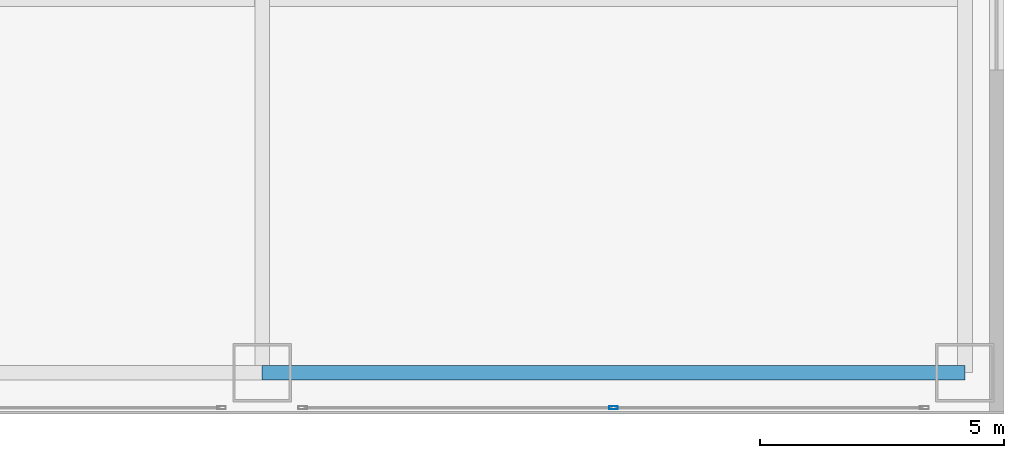
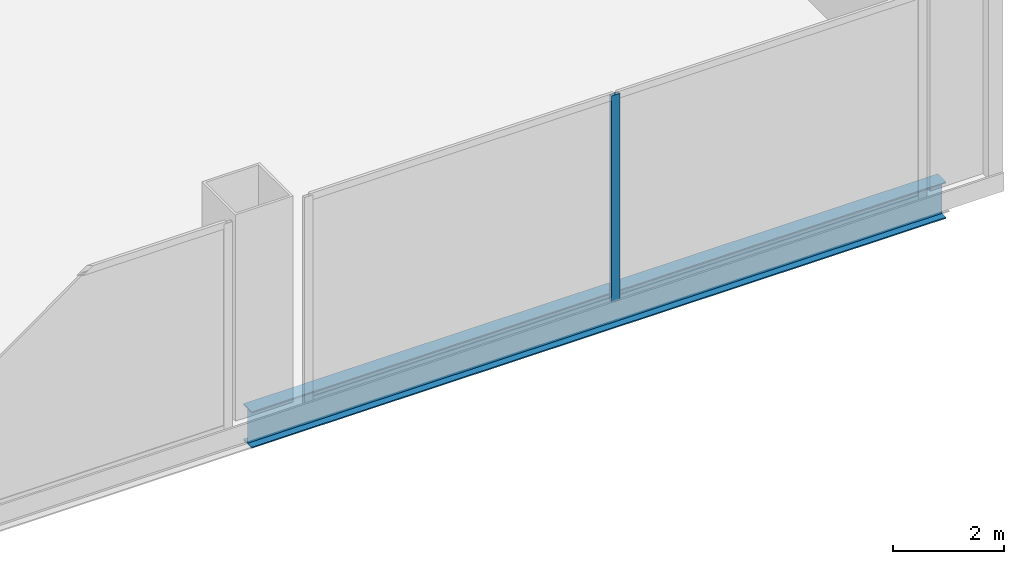
# One storey, part 14 of 27: 1 beam, 1 member, 1 element without a shape of its own.
"""IFC4 building model written with IfcOpenShell, lengths in metres."""

from ifc_helpers import new_model, si_unit, direction, frame, origin, origin_2d, place, context, subcontext, project, spatial, hollow_rectangle, i_section, extrude, source, transform, mapped, material, layer, layer_set, material_profile, profile_set, type_object, element, aggregate, save


model = new_model("IFC4")

# Units and contexts
model_context = context("Model", 3, precision=1e-05, world=origin(), true_north=direction((0.0, 1.0)))
body_context = subcontext(model_context, "Body", "Model", "MODEL_VIEW")
ifc_project = project(units=[si_unit("LENGTHUNIT", "METRE"), si_unit("AREAUNIT", "SQUARE_METRE"), si_unit("VOLUMEUNIT", "CUBIC_METRE"), si_unit("PLANEANGLEUNIT", "RADIAN"), si_unit("MASSUNIT", "GRAM", prefix="KILO"), si_unit("THERMODYNAMICTEMPERATUREUNIT", "KELVIN"), si_unit("POWERUNIT", "WATT")], contexts=[model_context])

# Site, building, storey
site_placement = place(None, origin())
site = spatial("IfcSite", under=ifc_project, at=site_placement, CompositionType="ELEMENT")
building_placement = place(site_placement, origin())
building = spatial("IfcBuilding", under=site, at=building_placement, Name="Yunzhuo Pagoda Commons", CompositionType="ELEMENT")
storey_placement = place(building_placement, frame((0.0, 0.0, 9.60009765625)))
storey = spatial("IfcBuildingStorey", under=building, at=storey_placement, Name="L03", CompositionType="ELEMENT", Elevation=9.60009765625)

# Beam
ifc_material_1 = material(Name="Structural steel Q355B", Category="steel")
ifc_material_profile_1 = material_profile(ifc_material_1, i_section(OverallWidth=0.300048828125, OverallDepth=0.800048828125, WebThickness=0.013916015625, FlangeThickness=0.02587890625, at=origin_2d()), Name="Structural steel Q355B")
ifc_profile_set_1 = profile_set([ifc_material_profile_1], Name="Structural steel Q355B")
beam_type = type_object("IfcBeamType", Name="B-PD2 Beam HN 800x300x14x26", PredefinedType="BEAM", material=ifc_profile_set_1)
shared_shape_1 = source(origin(), body_context, "Body", "SweptSolid", [
    extrude(i_section(OverallWidth=0.300048828125, OverallDepth=0.800048828125, WebThickness=0.013916015625, FlangeThickness=0.02587890625, at=origin_2d()), origin(), (0.0, 0.0, 1.0), 14.39990234375),
])
beam_placement = place(storey_placement, frame((76.800048828125, 6.800048828125, -0.68017578125), z_axis=(1.0, 0.0, 0.0), x_axis=(0.0, 1.0, 0.0)))
element("IfcBeam", 1, at=beam_placement, inside=storey, type_object=beam_type, Name="L03 podium girder EW 1.5", PredefinedType="BEAM", context=body_context, shape_type="MappedRepresentation", body=[
    mapped(shared_shape_1, transform((0.0, 0.0, 0.0), scale=1.0)),
])

# Curtain wall, member
ifc_material_2 = material(Name="Anodized aluminium 6063-T6", Category="aluminium")
ifc_layer = layer(ifc_material_2, 0.179931640625)
ifc_layer_set = layer_set([ifc_layer], Name="Anodized aluminium 6063-T6")
curtain_wall_type = type_object("IfcCurtainWallType", Name="CW-POD Waterfront Podium Curtain Wall", PredefinedType="NOTDEFINED", material=ifc_layer_set)
curtain_wall_placement = place(storey_placement, origin())
curtain_wall = element("IfcCurtainWall", 2, at=curtain_wall_placement, inside=storey, type_object=curtain_wall_type, Name="L03 curtain wall CW-L03-S5", PredefinedType="NOTDEFINED")
ifc_material_profile_2 = material_profile(ifc_material_2, hollow_rectangle(XDim=0.06494140625, YDim=0.179931640625, WallThickness=0.00390625, at=origin_2d()), Name="Anodized aluminium 6063-T6")
ifc_profile_set_2 = profile_set([ifc_material_profile_2], Name="Anodized aluminium 6063-T6")
member_type = type_object("IfcMemberType", Name="CW-POD-M Mullion RHS 180x65x4", PredefinedType="MULLION", material=ifc_profile_set_2)
shared_shape_2 = source(origin(), body_context, "Body", "SweptSolid", [
    extrude(hollow_rectangle(XDim=0.06494140625, YDim=0.179931640625, WallThickness=0.00390625, at=origin_2d()), origin(), (0.0, 0.0, 1.0), 4.52001953125),
])
member_placement = place(storey_placement, frame((84.0, 6.080078125, 0.0), z_axis=(0.0, 0.0, 1.0), x_axis=(0.0, 1.0, 0.0)))
member = element("IfcMember", 3, at=member_placement, type_object=member_type, Name="CW mullion 2", PredefinedType="MULLION", context=body_context, shape_type="MappedRepresentation", body=[
    mapped(shared_shape_2, transform((0.0, 0.0, 0.0), scale=1.0)),
])
aggregate(curtain_wall, [member])

save(model, "model.ifc")
